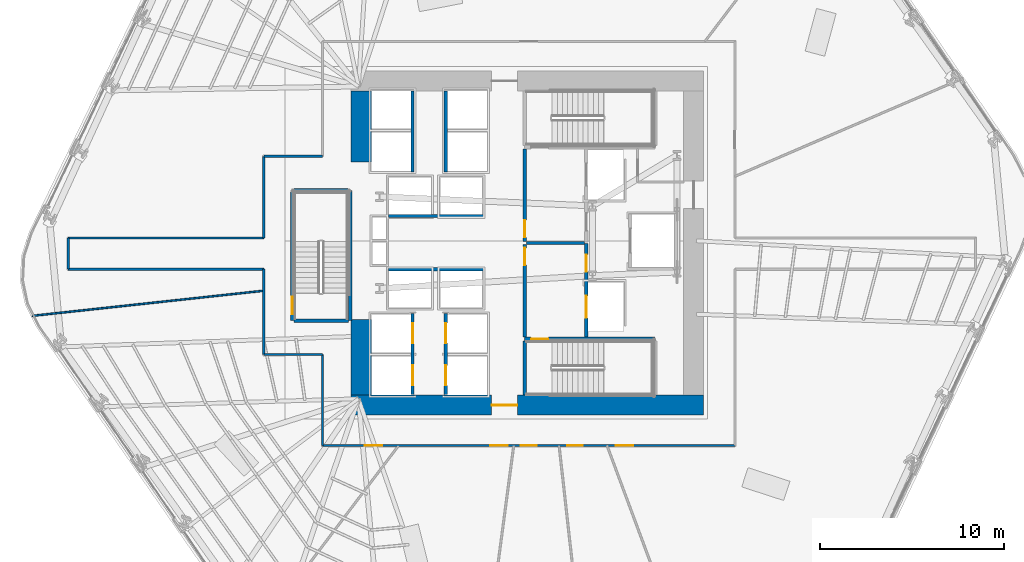
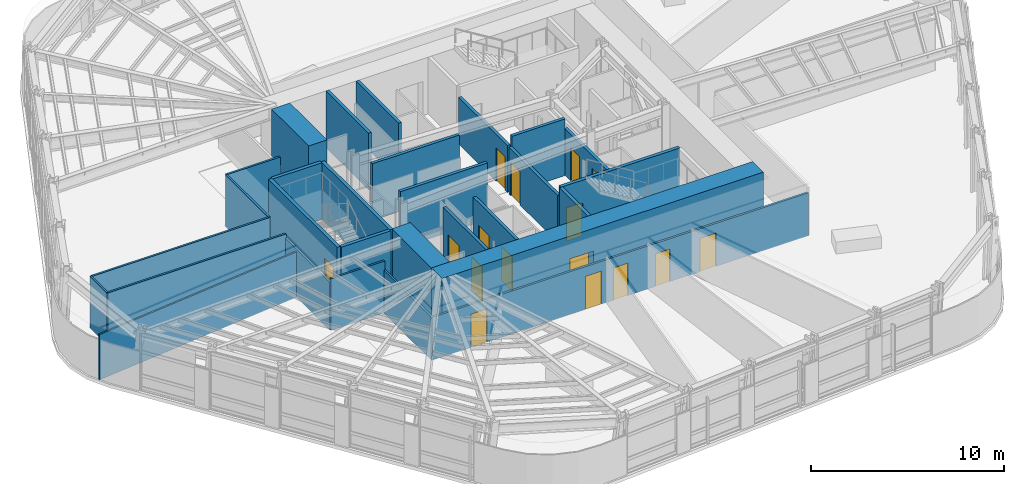
# One storey, part 8 of 15: 29 walls, 16 doors, 16 openings.
"""IFC4 building model written with IfcOpenShell, lengths in metres."""

import ifcopenshell
import ifcopenshell.guid

model = None  # the IFC model being written
_history = None  # IfcOwnerHistory: only IFC2X3 demands one
_inside = {}  # id of a spatial element -> (the spatial element, [elements in it])
_under = {}  # id of a project, library or spatial element -> (it, [spatial elements below it])
_declared = {}  # id of a project -> (the project, [libraries it declares])
_typed = {}  # id of a type object -> (the type object, [elements of that type])
_made_of = {}  # id of a material, layer set ... -> (it, [elements and type objects made of it])


def new_model(schema):
    """Start an empty IFC model of exactly this schema.

    Asked for "IFC4X3", IfcOpenShell would pick the latest addendum, in which some entities
    have other attributes; the version numbers below select the first issue.
    IFC2X3 requires an IfcOwnerHistory on every rooted entity: one is made here for all.
    """
    global model, _history
    if schema == "IFC4X3":
        model = ifcopenshell.file(schema_version=(4, 3, 0, 0))
    else:
        model = ifcopenshell.file(schema=schema)
    _inside.clear()
    _under.clear()
    _declared.clear()
    _typed.clear()
    _made_of.clear()
    _history = None
    if model.schema == "IFC2X3":
        org = make("IfcOrganization", Name="unknown")
        user = make(
            "IfcPersonAndOrganization",
            ThePerson=make("IfcPerson", FamilyName="unknown"),
            TheOrganization=org,
        )
        app = make(
            "IfcApplication",
            ApplicationDeveloper=org,
            Version="unknown",
            ApplicationFullName="unknown",
            ApplicationIdentifier="unknown",
        )
        _history = make(
            "IfcOwnerHistory",
            OwningUser=user,
            OwningApplication=app,
            ChangeAction="ADDED",
            CreationDate=0,
        )
    return model


def make(cls, **values):
    """One entity of the class cls with the attributes given. An attribute that is None is left unset."""
    return model.create_entity(
        cls, **{name: value for name, value in values.items() if value is not None}
    )


def rooted(cls, **values):
    """An entity with a GlobalId (a new one), such as an element, a storey or a relation."""
    return make(cls, GlobalId=ifcopenshell.guid.new(), OwnerHistory=_history, **values)


def si_unit(unit_type, name, prefix=None):
    """IfcSIUnit, for example si_unit("LENGTHUNIT", "METRE", prefix="MILLI")."""
    return make("IfcSIUnit", UnitType=unit_type, Prefix=prefix, Name=name)


def assignment(units):
    """IfcUnitAssignment: the units of a project."""
    return None if units is None else make("IfcUnitAssignment", Units=units)


def point(xyz):
    """IfcCartesianPoint."""
    return None if xyz is None else make("IfcCartesianPoint", Coordinates=xyz)


def direction(xyz):
    """IfcDirection."""
    return None if xyz is None else make("IfcDirection", DirectionRatios=xyz)


def frame(location, z_axis=None, x_axis=None):
    """IfcAxis2Placement3D, a coordinate frame: its origin and axes. An axis left out is left unset."""
    return make(
        "IfcAxis2Placement3D",
        Location=point(location),
        Axis=direction(z_axis),
        RefDirection=direction(x_axis),
    )


def frame_2d(location, x_axis=None):
    """IfcAxis2Placement2D, a coordinate frame in the plane: its origin and x axis."""
    return make(
        "IfcAxis2Placement2D", Location=point(location), RefDirection=direction(x_axis)
    )


def origin():
    """The frame at (0, 0, 0) with its axes left unset."""
    return frame((0.0, 0.0, 0.0))


def place(relative_to, where):
    """IfcLocalPlacement: puts the frame where relative to a parent placement (None: the world)."""
    return make(
        "IfcLocalPlacement", PlacementRelTo=relative_to, RelativePlacement=where
    )


def context(
    kind, dimensions, precision=None, world=None, true_north=None, identifier=None
):
    """IfcGeometricRepresentationContext, for example the 3D "Model" context."""
    return make(
        "IfcGeometricRepresentationContext",
        ContextIdentifier=identifier,
        ContextType=kind,
        CoordinateSpaceDimension=dimensions,
        Precision=precision,
        WorldCoordinateSystem=world,
        TrueNorth=true_north,
    )


def subcontext(parent, identifier, kind, view, scale=None):
    """IfcGeometricRepresentationSubContext, for example "Body" below "Model"."""
    return make(
        "IfcGeometricRepresentationSubContext",
        ContextIdentifier=identifier,
        ContextType=kind,
        ParentContext=parent,
        TargetScale=scale,
        TargetView=view,
    )


def project(units=None, contexts=None):
    """IfcProject with its units and contexts."""
    return rooted(
        "IfcProject",
        Name="project",
        RepresentationContexts=contexts,
        UnitsInContext=assignment(units),
    )


def spatial(cls, under=None, at=None, **own):
    """A site, building, storey or space (cls), placed at a placement, below another one or the project."""
    s = rooted(cls, ObjectPlacement=at, **own)
    if under is not None:
        _under.setdefault(under.id(), (under, []))[1].append(s)
    return s


def profile(cls, at=None, kind="AREA", **sizes):
    """A parametric profile (cls). Its sizes go by their IFC names, for example OverallWidth=200.0."""
    return make(cls, ProfileType=kind, Position=at, **sizes)


def rectangle(**sizes):
    """IfcRectangleProfileDef."""
    return profile("IfcRectangleProfileDef", **sizes)


def extrude(swept, where, along, depth):
    """IfcExtrudedAreaSolid: the profile swept, set in the frame where, extruded along a direction by depth."""
    return make(
        "IfcExtrudedAreaSolid",
        SweptArea=swept,
        Position=where,
        ExtrudedDirection=direction(along),
        Depth=depth,
    )


def shape(context_of_items, identifier, shape_type, items):
    """IfcShapeRepresentation: the items that make up one representation, for example the "Body"."""
    return make(
        "IfcShapeRepresentation",
        ContextOfItems=context_of_items,
        RepresentationIdentifier=identifier,
        RepresentationType=shape_type,
        Items=items,
    )


def material(Name=None, Category=None):
    """IfcMaterial."""
    return make("IfcMaterial", Name=Name, Category=Category)


def layer(
    of_material, thickness, ventilated=None, Name=None, Category=None, Priority=None
):
    """IfcMaterialLayer: one layer of a wall or slab, of a material (None: an air gap)."""
    return make(
        "IfcMaterialLayer",
        Material=of_material,
        LayerThickness=thickness,
        IsVentilated=ventilated,
        Name=Name,
        Category=Category,
        Priority=Priority,
    )


def layer_set(layers, Name=None):
    """IfcMaterialLayerSet."""
    return make("IfcMaterialLayerSet", MaterialLayers=layers, LayerSetName=Name)


def made_of(thing, what):
    """Note that an element or type object is made of a material, layer set ...; save() writes the relation."""
    if what is not None:
        _made_of.setdefault(what.id(), (what, []))[1].append(thing)
    return thing


def type_object(cls, material=None, **own):
    """A type object (cls), such as IfcWallType, which elements share."""
    return made_of(rooted(cls, **own), material)


def element(
    cls,
    number,
    at=None,
    inside=None,
    cuts=None,
    type_object=None,
    material=None,
    context=None,
    identifier="Body",
    shape_type=None,
    held_by="IfcProductDefinitionShape",
    body=None,
    shapes=None,
    **own,
):
    """One element of the class cls, such as IfcWall. Its Tag is "e" and its number.

    at: its placement. inside: the storey or other place that contains it. cuts: it is an
    opening in that element (IfcRelVoidsElement). A single representation is given by context,
    identifier, shape_type and body (its items); several are given by shapes. held_by: the class
    of the entity that holds the representations. save() writes the other relations.
    """
    e = rooted(cls, Tag="e%d" % number, ObjectPlacement=at, **own)
    if body is not None:
        shapes = [shape(context, identifier, shape_type, body)]
    if shapes is not None:
        e.Representation = make(held_by, Representations=shapes)
    if inside is not None:
        _inside.setdefault(inside.id(), (inside, []))[1].append(e)
    if cuts is not None:
        rooted(
            "IfcRelVoidsElement", RelatingBuildingElement=cuts, RelatedOpeningElement=e
        )
    if type_object is not None:
        _typed.setdefault(type_object.id(), (type_object, []))[1].append(e)
    return made_of(e, material)


def fill(opening, filler):
    """IfcRelFillsElement: the door or window that sits in an opening."""
    return rooted(
        "IfcRelFillsElement",
        RelatingOpeningElement=opening,
        RelatedBuildingElement=filler,
    )


def aggregate(whole, parts):
    """IfcRelAggregates: a whole, such as a stair, and the parts it consists of."""
    return rooted("IfcRelAggregates", RelatingObject=whole, RelatedObjects=parts)


def save(model, path):
    """Write the relations noted so far, then the file.

    IfcRelAggregates (storeys below a building ...), IfcRelContainedInSpatialStructure (elements
    in a storey), IfcRelDefinesByType, IfcRelAssociatesMaterial and IfcRelDeclares: one each for
    every whole, place, type object, material and project.
    """
    for whole, parts in _under.values():
        aggregate(whole, parts)
    for where, things in _inside.values():
        rooted(
            "IfcRelContainedInSpatialStructure",
            RelatedElements=things,
            RelatingStructure=where,
        )
    for kind, things in _typed.values():
        rooted("IfcRelDefinesByType", RelatedObjects=things, RelatingType=kind)
    for what, things in _made_of.values():
        rooted("IfcRelAssociatesMaterial", RelatedObjects=things, RelatingMaterial=what)
    for by, libraries in _declared.values():
        rooted("IfcRelDeclares", RelatingContext=by, RelatedDefinitions=libraries)
    model.write(path)


model = new_model("IFC4")

# Units and contexts
model_context = context("Model", 3, precision=1e-05, world=origin(), true_north=direction((0.0, 1.0)))
body_context = subcontext(model_context, "Body", "Model", "MODEL_VIEW")
ifc_project = project(units=[si_unit("LENGTHUNIT", "METRE"), si_unit("AREAUNIT", "SQUARE_METRE"), si_unit("VOLUMEUNIT", "CUBIC_METRE"), si_unit("PLANEANGLEUNIT", "RADIAN"), si_unit("MASSUNIT", "GRAM", prefix="KILO")], contexts=[model_context])

# Site, building, storey
site_placement = place(None, origin())
site = spatial("IfcSite", under=ifc_project, at=site_placement, CompositionType="ELEMENT")
building_placement = place(site_placement, origin())
building = spatial("IfcBuilding", under=site, at=building_placement, Name="Valkerne Bourse Tower", CompositionType="ELEMENT")
storey_placement = place(building_placement, frame((0.0, 0.0, 43.0)))
storey = spatial("IfcBuildingStorey", under=building, at=storey_placement, Name="L10", CompositionType="ELEMENT", Elevation=43.0)

# Wall, opening, door
ifc_material_1 = material(Name="Concrete C70/85", Category="concrete")
ifc_layer_1 = layer(ifc_material_1, 1.10009765625)
ifc_layer_set_1 = layer_set([ifc_layer_1], Name="Concrete C70/85")
wall_type_1 = type_object("IfcWallType", Name="W-CORE-1100", PredefinedType="SHEAR", material=ifc_layer_set_1)
wall_1_placement = place(storey_placement, frame((37.199951171875, 18.050048828125, 0.0), z_axis=(0.0, 0.0, 1.0), x_axis=(1.0, 0.0, 0.0)))
wall_1 = element("IfcWall", 1, at=wall_1_placement, inside=storey, type_object=wall_type_1, Name="L10 Core Shear Wall SOUTH", PredefinedType="SHEAR", context=body_context, shape_type="SweptSolid", body=[
    extrude(rectangle(XDim=19.199951171875, YDim=1.10009765625, at=frame_2d((9.60009765625, 0.0))), origin(), (0.0, 0.0, 1.0), 3.580078125),
])
opening_1_placement = place(wall_1_placement, frame((7.64990234375, 0.0, 0.0)))
opening_1 = element("IfcOpeningElement", 2, at=opening_1_placement, cuts=wall_1, Name="Opening D-PL-1400", PredefinedType="OPENING", context=body_context, shape_type="SweptSolid", body=[
    extrude(rectangle(XDim=1.39990234375, YDim=2.14990234375, at=frame_2d((0.699951171875, 1.074951171875))), frame((0.0, 0.56005859375, 0.0), z_axis=(0.0, -1.0, 0.0), x_axis=(1.0, 0.0, 0.0)), (0.0, 0.0, 1.0), 1.1201171875),
])
ifc_material_2 = material(Name="Galvanised Painted Steel", Category="steel")
door_type_1 = type_object("IfcDoorType", Name="DR-PLT-1400", OperationType="DOUBLE_DOOR_SINGLE_SWING", PredefinedType="DOOR", material=ifc_material_2)
door_1_placement = place(opening_1_placement, origin())
door_1 = element("IfcDoor", 3, at=door_1_placement, inside=storey, type_object=door_type_1, Name="L10 South Passenger Lift Hall Fire Door", OperationType="DOUBLE_DOOR_SINGLE_SWING", OverallHeight=2.14990234375, OverallWidth=1.39990234375, PredefinedType="DOOR", context=body_context, shape_type="SweptSolid", body=[
    extrude(rectangle(XDim=1.39990234375, YDim=2.14990234375, at=frame_2d((0.699951171875, 1.074951171875))), frame((0.0, 0.02490234375, 0.0), z_axis=(0.0, -1.0, 0.0), x_axis=(1.0, 0.0, 0.0)), (0.0, 0.0, 1.0), 0.050048828125),
])
fill(opening_1, door_1)

# Walls
wall_2_placement = place(storey_placement, frame((37.75, 18.60009765625, 0.0), z_axis=(0.0, 0.0, 1.0), x_axis=(0.0, 1.0, 0.0)))
element("IfcWall", 4, at=wall_2_placement, inside=storey, type_object=wall_type_1, Name="L10 Core Shear Wall WEST-S", PredefinedType="SHEAR", context=body_context, shape_type="SweptSolid", body=[
    extrude(rectangle(XDim=4.099853515625, YDim=1.10009765625, at=frame_2d((2.0498046875, 0.0))), origin(), (0.0, 0.0, 1.0), 3.580078125),
])
wall_3_placement = place(storey_placement, frame((37.75, 31.300048828125, 0.0), z_axis=(0.0, 0.0, 1.0), x_axis=(0.0, 1.0, 0.0)))
element("IfcWall", 5, at=wall_3_placement, inside=storey, type_object=wall_type_1, Name="L10 Core Shear Wall WEST-N", PredefinedType="SHEAR", context=body_context, shape_type="SweptSolid", body=[
    extrude(rectangle(XDim=3.849853515625, YDim=1.10009765625, at=frame_2d((1.9248046875, 0.0))), origin(), (0.0, 0.0, 1.0), 3.580078125),
])

# Wall, openings, doors
ifc_material_3 = material(Name="Gypsum Board Steel-Stud Partition", Category="steel")
ifc_layer_2 = layer(ifc_material_3, 0.117919921875)
ifc_layer_set_2 = layer_set([ifc_layer_2], Name="Gypsum Board Steel-Stud Partition")
wall_type_2 = type_object("IfcWallType", Name="W-CORR-140", PredefinedType="PARTITIONING", material=ifc_layer_set_2)
wall_4_placement = place(storey_placement, frame((58.10009765625, 15.85009765625, 0.0), z_axis=(0.0, 0.0, 1.0), x_axis=(-1.0, 0.0, 0.0)))
wall_4 = element("IfcWall", 6, at=wall_4_placement, inside=storey, type_object=wall_type_2, Name="L10 Corridor Enclosure Wall", PredefinedType="PARTITIONING", context=body_context, shape_type="SweptSolid", body=[
    extrude(rectangle(XDim=22.4501953125, YDim=0.117919921875, at=frame_2d((11.22509765625, 0.0))), origin(), (0.0, 0.0, 1.0), 2.71142578125),
])
opening_2_placement = place(wall_4_placement, frame((10.794921875, 0.0, 0.0)))
opening_2 = element("IfcOpeningElement", 7, at=opening_2_placement, cuts=wall_4, Name="Opening D-WC-900", PredefinedType="OPENING", context=body_context, shape_type="SweptSolid", body=[
    extrude(rectangle(XDim=0.860107421875, YDim=2.050048828125, at=frame_2d((0.43017578125, 1.02490234375))), frame((0.0, 0.06884765625, 0.0), z_axis=(0.0, -1.0, 0.0), x_axis=(1.0, 0.0, 0.0)), (0.0, 0.0, 1.0), 0.137939453125),
])
opening_3_placement = place(wall_4_placement, frame((8.27490234375, 0.0, 0.0)))
opening_3 = element("IfcOpeningElement", 8, at=opening_3_placement, cuts=wall_4, Name="Opening D-WC-900", PredefinedType="OPENING", context=body_context, shape_type="SweptSolid", body=[
    extrude(rectangle(XDim=0.860107421875, YDim=2.050048828125, at=frame_2d((0.43017578125, 1.02490234375))), frame((0.0, 0.06884765625, 0.0), z_axis=(0.0, -1.0, 0.0), x_axis=(1.0, 0.0, 0.0)), (0.0, 0.0, 1.0), 0.137939453125),
])
opening_4_placement = place(wall_4_placement, frame((12.3701171875, 0.0, 0.0)))
opening_4 = element("IfcOpeningElement", 9, at=opening_4_placement, cuts=wall_4, Name="Opening D-OF-950", PredefinedType="OPENING", context=body_context, shape_type="SweptSolid", body=[
    extrude(rectangle(XDim=0.949951171875, YDim=2.10009765625, at=frame_2d((0.47509765625, 1.050048828125))), frame((0.0, 0.06884765625, 0.0), z_axis=(0.0, -1.0, 0.0), x_axis=(1.0, 0.0, 0.0)), (0.0, 0.0, 1.0), 0.137939453125),
])
opening_5_placement = place(wall_4_placement, frame((19.2099609375, 0.0, 0.0)))
opening_5 = element("IfcOpeningElement", 10, at=opening_5_placement, cuts=wall_4, Name="Opening D-OF-950", PredefinedType="OPENING", context=body_context, shape_type="SweptSolid", body=[
    extrude(rectangle(XDim=0.949951171875, YDim=2.10009765625, at=frame_2d((0.47509765625, 1.050048828125))), frame((0.0, 0.06884765625, 0.0), z_axis=(0.0, -1.0, 0.0), x_axis=(1.0, 0.0, 0.0)), (0.0, 0.0, 1.0), 0.137939453125),
])
opening_6_placement = place(wall_4_placement, frame((5.530029296875, 0.0, 0.0)))
opening_6 = element("IfcOpeningElement", 11, at=opening_6_placement, cuts=wall_4, Name="Opening D-OF-950", PredefinedType="OPENING", context=body_context, shape_type="SweptSolid", body=[
    extrude(rectangle(XDim=0.949951171875, YDim=2.10009765625, at=frame_2d((0.47509765625, 1.050048828125))), frame((0.0, 0.06884765625, 0.0), z_axis=(0.0, -1.0, 0.0), x_axis=(1.0, 0.0, 0.0)), (0.0, 0.0, 1.0), 0.137939453125),
])
ifc_material_4 = material(Name="Architectural White Oak Timber", Category="wood")
door_type_2 = type_object("IfcDoorType", Name="DR-OFF-950", OperationType="NOTDEFINED", PredefinedType="DOOR", material=ifc_material_4)
door_2_placement = place(opening_4_placement, origin())
door_2 = element("IfcDoor", 12, at=door_2_placement, inside=storey, type_object=door_type_2, Name="L10 L10 Member Collaboration Club Salon 4 Door", OperationType="SINGLE_SWING_LEFT", OverallHeight=2.10009765625, OverallWidth=0.949951171875, PredefinedType="DOOR", context=body_context, shape_type="SweptSolid", body=[
    extrude(rectangle(XDim=0.949951171875, YDim=2.10009765625, at=frame_2d((0.47509765625, 1.050048828125))), frame((0.0, 0.02490234375, 0.0), z_axis=(0.0, -1.0, 0.0), x_axis=(1.0, 0.0, 0.0)), (0.0, 0.0, 1.0), 0.050048828125),
])
fill(opening_4, door_2)
door_3_placement = place(opening_5_placement, origin())
door_3 = element("IfcDoor", 13, at=door_3_placement, inside=storey, type_object=door_type_2, Name="L10 L10 Executive Economics Study Room 5 Door", OperationType="SINGLE_SWING_RIGHT", OverallHeight=2.10009765625, OverallWidth=0.949951171875, PredefinedType="DOOR", context=body_context, shape_type="SweptSolid", body=[
    extrude(rectangle(XDim=0.949951171875, YDim=2.10009765625, at=frame_2d((0.47509765625, 1.050048828125))), frame((0.0, 0.02490234375, 0.0), z_axis=(0.0, -1.0, 0.0), x_axis=(1.0, 0.0, 0.0)), (0.0, 0.0, 1.0), 0.050048828125),
])
fill(opening_5, door_3)
door_4_placement = place(opening_6_placement, origin())
door_4 = element("IfcDoor", 14, at=door_4_placement, inside=storey, type_object=door_type_2, Name="L10 L10 Executive Economics Study Room 6 Door", OperationType="SINGLE_SWING_RIGHT", OverallHeight=2.10009765625, OverallWidth=0.949951171875, PredefinedType="DOOR", context=body_context, shape_type="SweptSolid", body=[
    extrude(rectangle(XDim=0.949951171875, YDim=2.10009765625, at=frame_2d((0.47509765625, 1.050048828125))), frame((0.0, 0.02490234375, 0.0), z_axis=(0.0, -1.0, 0.0), x_axis=(1.0, 0.0, 0.0)), (0.0, 0.0, 1.0), 0.050048828125),
])
fill(opening_6, door_4)
door_type_3 = type_object("IfcDoorType", Name="DR-WC-900", OperationType="NOTDEFINED", PredefinedType="DOOR", material=ifc_material_4)
door_5_placement = place(opening_2_placement, origin())
door_5 = element("IfcDoor", 15, at=door_5_placement, inside=storey, type_object=door_type_3, Name="L10 L10 Men Bathroom WC 1 Door", OperationType="SINGLE_SWING_LEFT", OverallHeight=2.050048828125, OverallWidth=0.860107421875, PredefinedType="DOOR", context=body_context, shape_type="SweptSolid", body=[
    extrude(rectangle(XDim=0.860107421875, YDim=2.050048828125, at=frame_2d((0.43017578125, 1.02490234375))), frame((0.0, 0.02490234375, 0.0), z_axis=(0.0, -1.0, 0.0), x_axis=(1.0, 0.0, 0.0)), (0.0, 0.0, 1.0), 0.050048828125),
])
fill(opening_2, door_5)
door_6_placement = place(opening_3_placement, origin())
door_6 = element("IfcDoor", 16, at=door_6_placement, inside=storey, type_object=door_type_3, Name="L10 L10 Women Restroom & Shower WC 2 Door", OperationType="SINGLE_SWING_LEFT", OverallHeight=2.050048828125, OverallWidth=0.860107421875, PredefinedType="DOOR", context=body_context, shape_type="SweptSolid", body=[
    extrude(rectangle(XDim=0.860107421875, YDim=2.050048828125, at=frame_2d((0.43017578125, 1.02490234375))), frame((0.0, 0.02490234375, 0.0), z_axis=(0.0, -1.0, 0.0), x_axis=(1.0, 0.0, 0.0)), (0.0, 0.0, 1.0), 0.050048828125),
])
fill(opening_3, door_6)

# Walls
wall_5_placement = place(storey_placement, frame((35.64990234375, 15.85009765625, 0.0), z_axis=(0.0, 0.0, 1.0), x_axis=(0.0, 1.0, 0.0)))
element("IfcWall", 17, at=wall_5_placement, inside=storey, type_object=wall_type_2, Name="L10 Corridor Enclosure Wall", PredefinedType="PARTITIONING", context=body_context, shape_type="SweptSolid", body=[
    extrude(rectangle(XDim=4.949951171875, YDim=0.117919921875, at=frame_2d((2.47509765625, 0.0))), origin(), (0.0, 0.0, 1.0), 2.71142578125),
])
wall_6_placement = place(storey_placement, frame((35.64990234375, 20.800048828125, 0.0), z_axis=(0.0, 0.0, 1.0), x_axis=(-1.0, 0.0, 0.0)))
element("IfcWall", 18, at=wall_6_placement, inside=storey, type_object=wall_type_2, Name="L10 Corridor Enclosure Wall", PredefinedType="PARTITIONING", context=body_context, shape_type="SweptSolid", body=[
    extrude(rectangle(XDim=3.199951171875, YDim=0.117919921875, at=frame_2d((1.60009765625, 0.0))), origin(), (0.0, 0.0, 1.0), 3.260009765625),
])
wall_7_placement = place(storey_placement, frame((32.449951171875, 20.800048828125, 0.0), z_axis=(0.0, 0.0, 1.0), x_axis=(0.0, 1.0, 0.0)))
element("IfcWall", 19, at=wall_7_placement, inside=storey, type_object=wall_type_2, Name="L10 Corridor Enclosure Wall", PredefinedType="PARTITIONING", context=body_context, shape_type="SweptSolid", body=[
    extrude(rectangle(XDim=4.64990234375, YDim=0.117919921875, at=frame_2d((2.324951171875, 0.0))), origin(), (0.0, 0.0, 1.0), 3.021484375),
])
wall_8_placement = place(storey_placement, frame((32.449951171875, 25.449951171875, 0.0), z_axis=(0.0, 0.0, 1.0), x_axis=(-1.0, 0.0, 0.0)))
element("IfcWall", 20, at=wall_8_placement, inside=storey, type_object=wall_type_2, Name="L10 Corridor Enclosure Wall", PredefinedType="PARTITIONING", context=body_context, shape_type="SweptSolid", body=[
    extrude(rectangle(XDim=10.64990234375, YDim=0.117919921875, at=frame_2d((5.324951171875, 0.0))), origin(), (0.0, 0.0, 1.0), 3.280029296875),
])
wall_9_placement = place(storey_placement, frame((21.800048828125, 25.449951171875, 0.0), z_axis=(0.0, 0.0, 1.0), x_axis=(0.0, 1.0, 0.0)))
element("IfcWall", 21, at=wall_9_placement, inside=storey, type_object=wall_type_2, Name="L10 Corridor Enclosure Wall", PredefinedType="PARTITIONING", context=body_context, shape_type="SweptSolid", body=[
    extrude(rectangle(XDim=1.699951171875, YDim=0.117919921875, at=frame_2d((0.85009765625, 0.0))), origin(), (0.0, 0.0, 1.0), 3.280029296875),
])
wall_10_placement = place(storey_placement, frame((21.800048828125, 27.14990234375, 0.0), z_axis=(0.0, 0.0, 1.0), x_axis=(1.0, 0.0, 0.0)))
element("IfcWall", 22, at=wall_10_placement, inside=storey, type_object=wall_type_2, Name="L10 Corridor Enclosure Wall", PredefinedType="PARTITIONING", context=body_context, shape_type="SweptSolid", body=[
    extrude(rectangle(XDim=10.64990234375, YDim=0.117919921875, at=frame_2d((5.324951171875, 0.0))), origin(), (0.0, 0.0, 1.0), 3.280029296875),
])
wall_11_placement = place(storey_placement, frame((32.449951171875, 27.14990234375, 0.0), z_axis=(0.0, 0.0, 1.0), x_axis=(0.0, 1.0, 0.0)))
element("IfcWall", 23, at=wall_11_placement, inside=storey, type_object=wall_type_2, Name="L10 Corridor Enclosure Wall", PredefinedType="PARTITIONING", context=body_context, shape_type="SweptSolid", body=[
    extrude(rectangle(XDim=4.4501953125, YDim=0.117919921875, at=frame_2d((2.22509765625, 0.0))), origin(), (0.0, 0.0, 1.0), 3.280029296875),
])
wall_12_placement = place(storey_placement, frame((32.449951171875, 31.60009765625, 0.0), z_axis=(0.0, 0.0, 1.0), x_axis=(1.0, 0.0, 0.0)))
element("IfcWall", 24, at=wall_12_placement, inside=storey, type_object=wall_type_2, Name="L10 Corridor Enclosure Wall", PredefinedType="PARTITIONING", context=body_context, shape_type="SweptSolid", body=[
    extrude(rectangle(XDim=3.199951171875, YDim=0.117919921875, at=frame_2d((1.60009765625, 0.0))), origin(), (0.0, 0.0, 1.0), 3.280029296875),
])
ifc_material_5 = material(Name="Gypsum Fire-Rated Shaftwall", Category="gypsum")
ifc_layer_3 = layer(ifc_material_5, 0.179931640625)
ifc_layer_set_3 = layer_set([ifc_layer_3], Name="Gypsum Fire-Rated Shaftwall")
wall_type_3 = type_object("IfcWallType", Name="W-FSAE-180", PredefinedType="PARTITIONING", material=ifc_layer_set_3)
wall_13_placement = place(storey_placement, frame((46.739990234375, 26.8798828125, 0.0), z_axis=(0.0, 0.0, 1.0), x_axis=(1.0, 0.0, 0.0)))
element("IfcWall", 25, at=wall_13_placement, inside=storey, type_object=wall_type_3, Name="L10 FSAE-1/2 Lobby Dividing Fire Wall", PredefinedType="PARTITIONING", context=body_context, shape_type="SweptSolid", body=[
    extrude(rectangle(XDim=3.169921875, YDim=0.179931640625, at=frame_2d((1.5849609375, 0.0))), origin(), (0.0, 0.0, 1.0), 3.580078125),
])

# Wall, opening, door
wall_14_placement = place(storey_placement, frame((46.64990234375, 21.75, 0.0), z_axis=(0.0, 0.0, 1.0), x_axis=(0.0, 1.0, 0.0)))
wall_14 = element("IfcWall", 26, at=wall_14_placement, inside=storey, type_object=wall_type_3, Name="L10 FSAE-1 Lobby West Fire Wall", PredefinedType="PARTITIONING", context=body_context, shape_type="SweptSolid", body=[
    extrude(rectangle(XDim=5.050048828125, YDim=0.179931640625, at=frame_2d((2.52490234375, 0.0))), origin(), (0.0, 0.0, 1.0), 2.9580078125),
])
opening_7_placement = place(wall_14_placement, frame((3.919921875, 0.0, 0.0)))
opening_7 = element("IfcOpeningElement", 27, at=opening_7_placement, cuts=wall_14, Name="Opening D-FS-950", PredefinedType="OPENING", context=body_context, shape_type="SweptSolid", body=[
    extrude(rectangle(XDim=0.949951171875, YDim=2.10009765625, at=frame_2d((0.47509765625, 1.050048828125))), frame((0.0, 0.099853515625, 0.0), z_axis=(0.0, -1.0, 0.0), x_axis=(1.0, 0.0, 0.0)), (0.0, 0.0, 1.0), 0.199951171875),
])
door_type_4 = type_object("IfcDoorType", Name="DR-FSAE-950", OperationType="NOTDEFINED", PredefinedType="DOOR", material=ifc_material_2)
door_7_placement = place(opening_7_placement, origin())
door_7 = element("IfcDoor", 28, at=door_7_placement, inside=storey, type_object=door_type_4, Name="L10 FSAE-1 Hall Link Fire Door", OperationType="SINGLE_SWING_RIGHT", OverallHeight=2.10009765625, OverallWidth=0.949951171875, PredefinedType="DOOR", context=body_context, shape_type="SweptSolid", body=[
    extrude(rectangle(XDim=0.949951171875, YDim=2.10009765625, at=frame_2d((0.47509765625, 1.050048828125))), frame((0.0, 0.02490234375, 0.0), z_axis=(0.0, -1.0, 0.0), x_axis=(1.0, 0.0, 0.0)), (0.0, 0.0, 1.0), 0.050048828125),
])
fill(opening_7, door_7)

wall_15_placement = place(storey_placement, frame((46.64990234375, 26.9599609375, 0.0), z_axis=(0.0, 0.0, 1.0), x_axis=(0.0, 1.0, 0.0)))
wall_15 = element("IfcWall", 29, at=wall_15_placement, inside=storey, type_object=wall_type_3, Name="L10 FSAE-2 Lobby West Fire Wall", PredefinedType="PARTITIONING", context=body_context, shape_type="SweptSolid", body=[
    extrude(rectangle(XDim=5.0400390625, YDim=0.179931640625, at=frame_2d((2.52001953125, 0.0))), origin(), (0.0, 0.0, 1.0), 2.9580078125),
])
opening_8_placement = place(wall_15_placement, frame((0.219970703125, 0.0, 0.0)))
opening_8 = element("IfcOpeningElement", 30, at=opening_8_placement, cuts=wall_15, Name="Opening D-FS-950", PredefinedType="OPENING", context=body_context, shape_type="SweptSolid", body=[
    extrude(rectangle(XDim=0.949951171875, YDim=2.10009765625, at=frame_2d((0.47509765625, 1.050048828125))), frame((0.0, 0.099853515625, 0.0), z_axis=(0.0, -1.0, 0.0), x_axis=(1.0, 0.0, 0.0)), (0.0, 0.0, 1.0), 0.199951171875),
])
door_8_placement = place(opening_8_placement, origin())
door_8 = element("IfcDoor", 31, at=door_8_placement, inside=storey, type_object=door_type_4, Name="L10 FSAE-2 Hall Link Fire Door", OperationType="SINGLE_SWING_RIGHT", OverallHeight=2.10009765625, OverallWidth=0.949951171875, PredefinedType="DOOR", context=body_context, shape_type="SweptSolid", body=[
    extrude(rectangle(XDim=0.949951171875, YDim=2.10009765625, at=frame_2d((0.47509765625, 1.050048828125))), frame((0.0, 0.02490234375, 0.0), z_axis=(0.0, -1.0, 0.0), x_axis=(1.0, 0.0, 0.0)), (0.0, 0.0, 1.0), 0.050048828125),
])
fill(opening_8, door_8)

# Wall, openings, doors
wall_16_placement = place(storey_placement, frame((50.0, 21.75, 0.0), z_axis=(0.0, 0.0, 1.0), x_axis=(0.0, 1.0, 0.0)))
wall_16 = element("IfcWall", 32, at=wall_16_placement, inside=storey, type_object=wall_type_3, Name="L10 FSAE-1 Lobby & Shaft Front Wall", PredefinedType="PARTITIONING", context=body_context, shape_type="SweptSolid", body=[
    extrude(rectangle(XDim=5.090087890625, YDim=0.179931640625, at=frame_2d((2.544921875, 0.0))), origin(), (0.0, 0.0, 1.0), 2.9580078125),
])
opening_9_placement = place(wall_16_placement, frame((1.050048828125, 0.0, 0.0)))
opening_9 = element("IfcOpeningElement", 33, at=opening_9_placement, cuts=wall_16, Name="Opening LD-1200", PredefinedType="OPENING", context=body_context, shape_type="SweptSolid", body=[
    extrude(rectangle(XDim=1.199951171875, YDim=2.14990234375, at=frame_2d((0.60009765625, 1.074951171875))), frame((0.0, 0.099853515625, 0.0), z_axis=(0.0, -1.0, 0.0), x_axis=(1.0, 0.0, 0.0)), (0.0, 0.0, 1.0), 0.199951171875),
])
opening_10_placement = place(wall_16_placement, frame((3.550048828125, 0.0, 0.0)))
opening_10 = element("IfcOpeningElement", 34, at=opening_10_placement, cuts=wall_16, Name="Opening D-FS-950", PredefinedType="OPENING", context=body_context, shape_type="SweptSolid", body=[
    extrude(rectangle(XDim=0.949951171875, YDim=2.10009765625, at=frame_2d((0.47509765625, 1.050048828125))), frame((0.0, 0.099853515625, 0.0), z_axis=(0.0, -1.0, 0.0), x_axis=(1.0, 0.0, 0.0)), (0.0, 0.0, 1.0), 0.199951171875),
])
door_9_placement = place(opening_10_placement, origin())
door_9 = element("IfcDoor", 35, at=door_9_placement, inside=storey, type_object=door_type_4, Name="L10 FSAE-1 Lobby Corridor Fire Door", OperationType="SINGLE_SWING_LEFT", OverallHeight=2.10009765625, OverallWidth=0.949951171875, PredefinedType="DOOR", context=body_context, shape_type="SweptSolid", body=[
    extrude(rectangle(XDim=0.949951171875, YDim=2.10009765625, at=frame_2d((0.47509765625, 1.050048828125))), frame((0.0, 0.02490234375, 0.0), z_axis=(0.0, -1.0, 0.0), x_axis=(1.0, 0.0, 0.0)), (0.0, 0.0, 1.0), 0.050048828125),
])
fill(opening_10, door_9)
ifc_material_6 = material(Name="Stainless Steel AISI 316", Category="steel")
door_type_5 = type_object("IfcDoorType", Name="DR-LIFT-1200", OperationType="DOUBLE_DOOR_SLIDING", PredefinedType="DOOR", material=ifc_material_6)
door_10_placement = place(opening_9_placement, origin())
door_10 = element("IfcDoor", 36, at=door_10_placement, inside=storey, type_object=door_type_5, Name="L10 FSAE-1 Firefighting Lift Landing Door", OperationType="DOUBLE_DOOR_SLIDING", OverallHeight=2.14990234375, OverallWidth=1.199951171875, PredefinedType="DOOR", context=body_context, shape_type="SweptSolid", body=[
    extrude(rectangle(XDim=1.199951171875, YDim=2.14990234375, at=frame_2d((0.60009765625, 1.074951171875))), frame((0.0, 0.02490234375, 0.0), z_axis=(0.0, -1.0, 0.0), x_axis=(1.0, 0.0, 0.0)), (0.0, 0.0, 1.0), 0.050048828125),
])
fill(opening_9, door_10)

ifc_material_7 = material(Name="CMU Blockwork Masonry 200mm", Category="masonry")
ifc_layer_4 = layer(ifc_material_7, 0.179931640625)
ifc_layer_set_4 = layer_set([ifc_layer_4], Name="CMU Blockwork Masonry 200mm")
wall_type_4 = type_object("IfcWallType", Name="W-LFT-180", PredefinedType="SOLIDWALL", material=ifc_layer_set_4)
wall_17_placement = place(storey_placement, frame((40.550048828125, 18.6201171875, 0.0), z_axis=(0.0, 0.0, 1.0), x_axis=(0.0, 1.0, 0.0)))
wall_17 = element("IfcWall", 37, at=wall_17_placement, inside=storey, type_object=wall_type_4, Name="L10 Low-Zone West Cars Front Wall", PredefinedType="SOLIDWALL", context=body_context, shape_type="SweptSolid", body=[
    extrude(rectangle(XDim=4.429931640625, YDim=0.179931640625, at=frame_2d((2.21484375, 0.0))), origin(), (0.0, 0.0, 1.0), 3.580078125),
])
opening_11_placement = place(wall_17_placement, frame((0.5, 0.0, 0.0)))
opening_11 = element("IfcOpeningElement", 38, at=opening_11_placement, cuts=wall_17, Name="Opening LD-1100", PredefinedType="OPENING", context=body_context, shape_type="SweptSolid", body=[
    extrude(rectangle(XDim=1.10009765625, YDim=2.14990234375, at=frame_2d((0.550048828125, 1.074951171875))), frame((0.0, 0.099853515625, 0.0), z_axis=(0.0, -1.0, 0.0), x_axis=(1.0, 0.0, 0.0)), (0.0, 0.0, 1.0), 0.199951171875),
])
opening_12_placement = place(wall_17_placement, frame((2.800048828125, 0.0, 0.0)))
opening_12 = element("IfcOpeningElement", 39, at=opening_12_placement, cuts=wall_17, Name="Opening LD-1100", PredefinedType="OPENING", context=body_context, shape_type="SweptSolid", body=[
    extrude(rectangle(XDim=1.10009765625, YDim=2.14990234375, at=frame_2d((0.550048828125, 1.074951171875))), frame((0.0, 0.099853515625, 0.0), z_axis=(0.0, -1.0, 0.0), x_axis=(1.0, 0.0, 0.0)), (0.0, 0.0, 1.0), 0.199951171875),
])
door_type_6 = type_object("IfcDoorType", Name="DR-LIFT-1100", OperationType="DOUBLE_DOOR_SLIDING", PredefinedType="DOOR", material=ifc_material_6)
door_11_placement = place(opening_11_placement, origin())
door_11 = element("IfcDoor", 40, at=door_11_placement, inside=storey, type_object=door_type_6, Name="L10 Passenger Lift PL-L1 Sliding Landing Door", OperationType="DOUBLE_DOOR_SLIDING", OverallHeight=2.14990234375, OverallWidth=1.10009765625, PredefinedType="DOOR", context=body_context, shape_type="SweptSolid", body=[
    extrude(rectangle(XDim=1.10009765625, YDim=2.14990234375, at=frame_2d((0.550048828125, 1.074951171875))), frame((0.0, 0.02490234375, 0.0), z_axis=(0.0, -1.0, 0.0), x_axis=(1.0, 0.0, 0.0)), (0.0, 0.0, 1.0), 0.050048828125),
])
fill(opening_11, door_11)
door_12_placement = place(opening_12_placement, origin())
door_12 = element("IfcDoor", 41, at=door_12_placement, inside=storey, type_object=door_type_6, Name="L10 Passenger Lift PL-L2 Sliding Landing Door", OperationType="DOUBLE_DOOR_SLIDING", OverallHeight=2.14990234375, OverallWidth=1.10009765625, PredefinedType="DOOR", context=body_context, shape_type="SweptSolid", body=[
    extrude(rectangle(XDim=1.10009765625, YDim=2.14990234375, at=frame_2d((0.550048828125, 1.074951171875))), frame((0.0, 0.02490234375, 0.0), z_axis=(0.0, -1.0, 0.0), x_axis=(1.0, 0.0, 0.0)), (0.0, 0.0, 1.0), 0.050048828125),
])
fill(opening_12, door_12)

wall_18_placement = place(storey_placement, frame((42.35009765625, 18.6201171875, 0.0), z_axis=(0.0, 0.0, 1.0), x_axis=(0.0, 1.0, 0.0)))
wall_18 = element("IfcWall", 42, at=wall_18_placement, inside=storey, type_object=wall_type_4, Name="L10 Low-Zone East Cars Front Wall", PredefinedType="SOLIDWALL", context=body_context, shape_type="SweptSolid", body=[
    extrude(rectangle(XDim=4.429931640625, YDim=0.179931640625, at=frame_2d((2.21484375, 0.0))), origin(), (0.0, 0.0, 1.0), 3.580078125),
])
opening_13_placement = place(wall_18_placement, frame((0.5, 0.0, 0.0)))
opening_13 = element("IfcOpeningElement", 43, at=opening_13_placement, cuts=wall_18, Name="Opening LD-1100", PredefinedType="OPENING", context=body_context, shape_type="SweptSolid", body=[
    extrude(rectangle(XDim=1.10009765625, YDim=2.14990234375, at=frame_2d((0.550048828125, 1.074951171875))), frame((0.0, 0.099853515625, 0.0), z_axis=(0.0, -1.0, 0.0), x_axis=(1.0, 0.0, 0.0)), (0.0, 0.0, 1.0), 0.199951171875),
])
opening_14_placement = place(wall_18_placement, frame((2.800048828125, 0.0, 0.0)))
opening_14 = element("IfcOpeningElement", 44, at=opening_14_placement, cuts=wall_18, Name="Opening LD-1100", PredefinedType="OPENING", context=body_context, shape_type="SweptSolid", body=[
    extrude(rectangle(XDim=1.10009765625, YDim=2.14990234375, at=frame_2d((0.550048828125, 1.074951171875))), frame((0.0, 0.099853515625, 0.0), z_axis=(0.0, -1.0, 0.0), x_axis=(1.0, 0.0, 0.0)), (0.0, 0.0, 1.0), 0.199951171875),
])
door_13_placement = place(opening_13_placement, origin())
door_13 = element("IfcDoor", 45, at=door_13_placement, inside=storey, type_object=door_type_6, Name="L10 Passenger Lift PL-L3 Sliding Landing Door", OperationType="DOUBLE_DOOR_SLIDING", OverallHeight=2.14990234375, OverallWidth=1.10009765625, PredefinedType="DOOR", context=body_context, shape_type="SweptSolid", body=[
    extrude(rectangle(XDim=1.10009765625, YDim=2.14990234375, at=frame_2d((0.550048828125, 1.074951171875))), frame((0.0, 0.02490234375, 0.0), z_axis=(0.0, -1.0, 0.0), x_axis=(1.0, 0.0, 0.0)), (0.0, 0.0, 1.0), 0.050048828125),
])
fill(opening_13, door_13)
door_14_placement = place(opening_14_placement, origin())
door_14 = element("IfcDoor", 46, at=door_14_placement, inside=storey, type_object=door_type_6, Name="L10 Passenger Lift PL-L4 Sliding Landing Door", OperationType="DOUBLE_DOOR_SLIDING", OverallHeight=2.14990234375, OverallWidth=1.10009765625, PredefinedType="DOOR", context=body_context, shape_type="SweptSolid", body=[
    extrude(rectangle(XDim=1.10009765625, YDim=2.14990234375, at=frame_2d((0.550048828125, 1.074951171875))), frame((0.0, 0.02490234375, 0.0), z_axis=(0.0, -1.0, 0.0), x_axis=(1.0, 0.0, 0.0)), (0.0, 0.0, 1.0), 0.050048828125),
])
fill(opening_14, door_14)

# Walls
for number, where, z_axis, x_axis, name in (
    (47, (40.550048828125, 30.75, 0.0), (0.0, 0.0, 1.0), (0.0, 1.0, 0.0), "L10 Mid-Zone West Cars Front Wall"),
    (48, (42.35009765625, 30.75, 0.0), (0.0, 0.0, 1.0), (0.0, 1.0, 0.0), "L10 Mid-Zone East Cars Front Wall"),
):
    element("IfcWall", number, at=place(storey_placement, frame(where, z_axis=z_axis, x_axis=x_axis)), inside=storey, type_object=wall_type_4, Name=name, PredefinedType="SOLIDWALL", context=body_context, shape_type="SweptSolid", body=[
        extrude(rectangle(XDim=4.39990234375, YDim=0.179931640625, at=frame_2d((2.199951171875, 0.0))), origin(), (0.0, 0.0, 1.0), 3.580078125),
    ])
for number, where, z_axis, x_axis, name in (
    (49, (39.25, 25.449951171875, 0.0), (0.0, 0.0, 1.0), (1.0, 0.0, 0.0), "L10 High-Zone South Cars Front Wall"),
    (50, (39.25, 28.35009765625, 0.0), (0.0, 0.0, 1.0), (1.0, 0.0, 0.0), "L10 High-Zone North Cars Front Wall"),
):
    element("IfcWall", number, at=place(storey_placement, frame(where, z_axis=z_axis, x_axis=x_axis)), inside=storey, type_object=wall_type_4, Name=name, PredefinedType="SOLIDWALL", context=body_context, shape_type="SweptSolid", body=[
        extrude(rectangle(XDim=5.199951171875, YDim=0.179931640625, at=frame_2d((2.60009765625, 0.0))), origin(), (0.0, 0.0, 1.0), 3.580078125),
    ])
ifc_layer_5 = layer(ifc_material_3, 0.092041015625)
ifc_layer_set_5 = layer_set([ifc_layer_5], Name="Gypsum Board Steel-Stud Partition")
wall_type_5 = type_object("IfcWallType", Name="W-PART-115", PredefinedType="PARTITIONING", material=ifc_layer_set_5)
wall_19_placement = place(storey_placement, frame((32.445068359375, 24.278564453125, 0.0), z_axis=(0.0, 0.0, 1.0), x_axis=(-0.994175657525, -0.107771805148, 0.0)))
element("IfcWall", 51, at=wall_19_placement, inside=storey, type_object=wall_type_5, Name="L10 Suite Partition P06", PredefinedType="PARTITIONING", context=body_context, shape_type="SweptSolid", body=[
    extrude(rectangle(XDim=12.68603515625, YDim=0.092041015625, at=frame_2d((6.343017578125, 0.0))), origin(), (0.0, 0.0, 1.0), 2.86376953125),
])

# Wall, opening, door
ifc_material_8 = material(Name="Concrete C40/50", Category="concrete")
ifc_layer_6 = layer(ifc_material_8, 0.199951171875)
ifc_layer_set_6 = layer_set([ifc_layer_6], Name="Concrete C40/50")
wall_type_6 = type_object("IfcWallType", Name="W-SHF-200", PredefinedType="SHEAR", material=ifc_layer_set_6)
wall_20_placement = place(storey_placement, frame((46.64990234375, 21.64990234375, 0.0), z_axis=(0.0, 0.0, 1.0), x_axis=(1.0, 0.0, 0.0)))
wall_20 = element("IfcWall", 52, at=wall_20_placement, inside=storey, type_object=wall_type_6, Name="L10 Exit Stair ST-1 Structural Shaft Wall North", PredefinedType="SHEAR", context=body_context, shape_type="SweptSolid", body=[
    extrude(rectangle(XDim=7.10009765625, YDim=0.199951171875, at=frame_2d((3.550048828125, 0.0))), origin(), (0.0, 0.0, 1.0), 3.580078125),
])
opening_15_placement = place(wall_20_placement, frame((0.35009765625, 0.0, 0.0)))
opening_15 = element("IfcOpeningElement", 53, at=opening_15_placement, cuts=wall_20, Name="Opening D-ST-950", PredefinedType="OPENING", context=body_context, shape_type="SweptSolid", body=[
    extrude(rectangle(XDim=0.949951171875, YDim=2.10009765625, at=frame_2d((0.47509765625, 1.050048828125))), frame((0.0, 0.10986328125, 0.0), z_axis=(0.0, -1.0, 0.0), x_axis=(1.0, 0.0, 0.0)), (0.0, 0.0, 1.0), 0.219970703125),
])
door_type_7 = type_object("IfcDoorType", Name="DR-STAIR-950", OperationType="NOTDEFINED", PredefinedType="DOOR", material=ifc_material_2)
door_15_placement = place(opening_15_placement, origin())
door_15 = element("IfcDoor", 54, at=door_15_placement, inside=storey, type_object=door_type_7, Name="L10 Exit Stair ST-1 Door", OperationType="SINGLE_SWING_RIGHT", OverallHeight=2.10009765625, OverallWidth=0.949951171875, PredefinedType="DOOR", context=body_context, shape_type="SweptSolid", body=[
    extrude(rectangle(XDim=0.949951171875, YDim=2.10009765625, at=frame_2d((0.47509765625, 1.050048828125))), frame((0.0, 0.02490234375, 0.0), z_axis=(0.0, -1.0, 0.0), x_axis=(1.0, 0.0, 0.0)), (0.0, 0.0, 1.0), 0.050048828125),
])
fill(opening_15, door_15)

# Wall
wall_21_placement = place(storey_placement, frame((46.64990234375, 18.60009765625, 0.0), z_axis=(0.0, 0.0, 1.0), x_axis=(0.0, 1.0, 0.0)))
element("IfcWall", 55, at=wall_21_placement, inside=storey, type_object=wall_type_6, Name="L10 Exit Stair ST-1 Structural Shaft Wall West", PredefinedType="SHEAR", context=body_context, shape_type="SweptSolid", body=[
    extrude(rectangle(XDim=2.949951171875, YDim=0.199951171875, at=frame_2d((1.47509765625, 0.0))), origin(), (0.0, 0.0, 1.0), 3.580078125),
])

# Wall, opening, door
wall_22_placement = place(storey_placement, frame((34.0, 22.64990234375, 0.0), z_axis=(0.0, 0.0, 1.0), x_axis=(0.0, 1.0, 0.0)))
wall_22 = element("IfcWall", 56, at=wall_22_placement, inside=storey, type_object=wall_type_6, Name="L10 Exit Stair ST-3 Structural Shaft Wall West", PredefinedType="SHEAR", context=body_context, shape_type="SweptSolid", body=[
    extrude(rectangle(XDim=7.10009765625, YDim=0.199951171875, at=frame_2d((3.550048828125, 0.0))), origin(), (0.0, 0.0, 1.0), 3.580078125),
])
opening_16_placement = place(wall_22_placement, frame((0.35009765625, 0.0, 0.0)))
opening_16 = element("IfcOpeningElement", 57, at=opening_16_placement, cuts=wall_22, Name="Opening D-ST-950", PredefinedType="OPENING", context=body_context, shape_type="SweptSolid", body=[
    extrude(rectangle(XDim=0.949951171875, YDim=2.10009765625, at=frame_2d((0.47509765625, 1.050048828125))), frame((0.0, 0.10986328125, 0.0), z_axis=(0.0, -1.0, 0.0), x_axis=(1.0, 0.0, 0.0)), (0.0, 0.0, 1.0), 0.219970703125),
])
door_16_placement = place(opening_16_placement, origin())
door_16 = element("IfcDoor", 58, at=door_16_placement, inside=storey, type_object=door_type_7, Name="L10 Exit Stair ST-3 Door", OperationType="SINGLE_SWING_RIGHT", OverallHeight=2.10009765625, OverallWidth=0.949951171875, PredefinedType="DOOR", context=body_context, shape_type="SweptSolid", body=[
    extrude(rectangle(XDim=0.949951171875, YDim=2.10009765625, at=frame_2d((0.47509765625, 1.050048828125))), frame((0.0, 0.02490234375, 0.0), z_axis=(0.0, -1.0, 0.0), x_axis=(1.0, 0.0, 0.0)), (0.0, 0.0, 1.0), 0.050048828125),
])
fill(opening_16, door_16)

# Walls
for number, where, z_axis, x_axis, name in (
    (59, (34.10009765625, 22.64990234375, 0.0), (0.0, 0.0, 1.0), (1.0, 0.0, 0.0), "L10 Exit Stair ST-3 Structural Shaft Wall South"),
    (60, (34.10009765625, 29.75, 0.0), (0.0, 0.0, 1.0), (1.0, 0.0, 0.0), "L10 Exit Stair ST-3 Structural Shaft Wall North"),
):
    element("IfcWall", number, at=place(storey_placement, frame(where, z_axis=z_axis, x_axis=x_axis)), inside=storey, type_object=wall_type_6, Name=name, PredefinedType="SHEAR", context=body_context, shape_type="SweptSolid", body=[
        extrude(rectangle(XDim=2.949951171875, YDim=0.199951171875, at=frame_2d((1.47509765625, 0.0))), origin(), (0.0, 0.0, 1.0), 3.580078125),
    ])
wall_23_placement = place(storey_placement, frame((37.14990234375, 22.64990234375, 0.0), z_axis=(0.0, 0.0, 1.0), x_axis=(0.0, 1.0, 0.0)))
element("IfcWall", 61, at=wall_23_placement, inside=storey, type_object=wall_type_6, Name="L10 Exit Stair ST-3 Structural Shaft Wall East", PredefinedType="SHEAR", context=body_context, shape_type="SweptSolid", body=[
    extrude(rectangle(XDim=7.10009765625, YDim=0.199951171875, at=frame_2d((3.550048828125, 0.0))), origin(), (0.0, 0.0, 1.0), 3.580078125),
])

save(model, "model.ifc")
